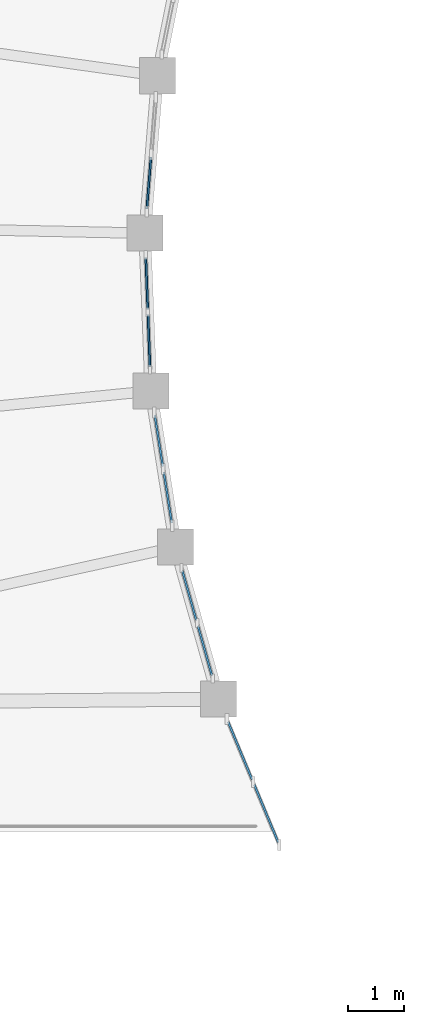
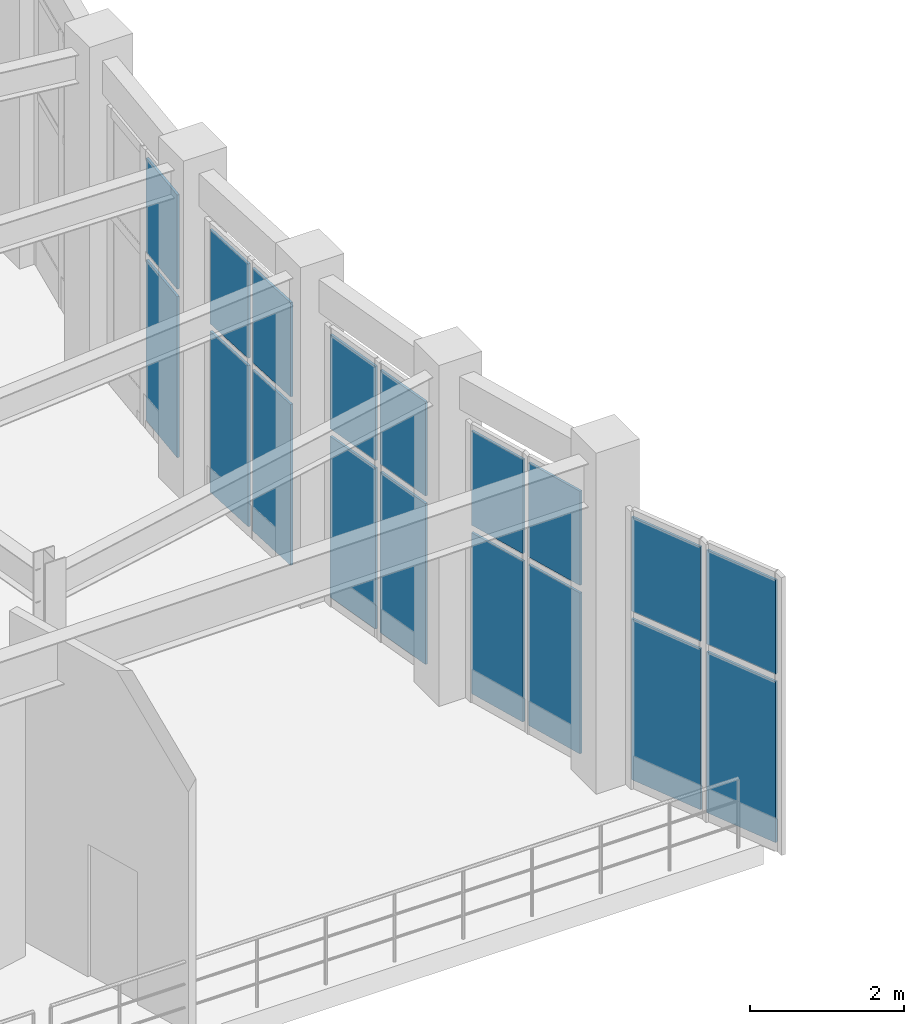
# One storey, part 41 of 93: 18 plates, 5 elements without a shape of their own.
"""IFC4 building model written with IfcOpenShell, lengths in metres."""

from ifc_helpers import new_model, si_unit, direction, frame, origin, origin_2d, place, context, subcontext, project, spatial, rectangle, extrude, material, layer, layer_set, type_object, element, aggregate, save


model = new_model("IFC4")

# Units and contexts
model_context = context("Model", 3, precision=1e-05, world=origin(), true_north=direction((0.0, 1.0)))
body_context = subcontext(model_context, "Body", "Model", "MODEL_VIEW")
ifc_project = project(units=[si_unit("LENGTHUNIT", "METRE"), si_unit("AREAUNIT", "SQUARE_METRE"), si_unit("VOLUMEUNIT", "CUBIC_METRE"), si_unit("PLANEANGLEUNIT", "RADIAN"), si_unit("MASSUNIT", "GRAM", prefix="KILO")], contexts=[model_context])

# Site, building, storey
site_placement = place(None, origin())
site = spatial("IfcSite", under=ifc_project, at=site_placement, CompositionType="ELEMENT")
building_placement = place(site_placement, origin())
building = spatial("IfcBuilding", under=site, at=building_placement, Name="Cinderbank Siding Concert Hall", CompositionType="ELEMENT")
storey_placement = place(building_placement, origin())
storey = spatial("IfcBuildingStorey", under=building, at=storey_placement, Name="L01", CompositionType="ELEMENT", Elevation=0.0)

# Curtain wall, plates
ifc_material_1 = material(Name="Anodised aluminium alloy 6063-T6", Category="aluminium")
curtain_wall_type_1 = type_object("IfcCurtainWallType", Name="CW-14 Unitised Acoustic Curtain Wall 4200x3800", PredefinedType="NOTDEFINED", material=ifc_material_1)
curtain_wall_1_placement = place(storey_placement, origin())
curtain_wall_1 = element("IfcCurtainWall", 1, at=curtain_wall_1_placement, inside=storey, type_object=curtain_wall_type_1, Name="L01 Curtain Wall CW-14 #104", PredefinedType="NOTDEFINED")
ifc_material_2 = material(Name="Double-glazed laminated acoustic glass", Category="glass")
ifc_layer_1 = layer(ifc_material_2, 0.035888671875)
ifc_layer_set_1 = layer_set([ifc_layer_1], Name="Double-glazed laminated acoustic glass")
plate_type_1 = type_object("IfcPlateType", Name="CP-01 Glazed Curtain Panel 1800x2200", PredefinedType="CURTAIN_PANEL", material=ifc_layer_set_1)
plate_1_placement = place(storey_placement, frame((32.0400390625, 67.5966796875, 0.1201171875), z_axis=(0.0, 0.0, 1.0), x_axis=(0.038360270672, -0.99926397395, 0.0)))
plate_1 = element("IfcPlate", 2, at=plate_1_placement, type_object=plate_type_1, Name="CW-L01-104 Glazed Panel 0-0", PredefinedType="CURTAIN_PANEL", context=body_context, shape_type="SweptSolid", body=[
    extrude(rectangle(XDim=0.933349609375, YDim=0.035888671875, at=origin_2d()), origin(), (0.0, 0.0, 1.0), 2.548095703125),
])
plate_2_placement = place(storey_placement, frame((32.0400390625, 67.5966796875, 2.7880859375), z_axis=(0.0, 0.0, 1.0), x_axis=(0.038360270672, -0.99926397395, 0.0)))
plate_2 = element("IfcPlate", 3, at=plate_2_placement, type_object=plate_type_1, Name="CW-L01-104 Glazed Panel 0-1", PredefinedType="CURTAIN_PANEL", context=body_context, shape_type="SweptSolid", body=[
    extrude(rectangle(XDim=0.933349609375, YDim=0.035888671875, at=origin_2d()), origin(), (0.0, 0.0, 1.0), 1.491943359375),
])
plate_3_placement = place(storey_placement, frame((32.07958984375, 66.56396484375, 0.1201171875), z_axis=(0.0, 0.0, 1.0), x_axis=(0.038360270672, -0.99926397395, 0.0)))
plate_3 = element("IfcPlate", 4, at=plate_3_placement, type_object=plate_type_1, Name="CW-L01-104 Glazed Panel 1-0", PredefinedType="CURTAIN_PANEL", context=body_context, shape_type="SweptSolid", body=[
    extrude(rectangle(XDim=0.933349609375, YDim=0.035888671875, at=origin_2d()), origin(), (0.0, 0.0, 1.0), 2.548095703125),
])
plate_4_placement = place(storey_placement, frame((32.07958984375, 66.56396484375, 2.7880859375), z_axis=(0.0, 0.0, 1.0), x_axis=(0.038360270672, -0.99926397395, 0.0)))
plate_4 = element("IfcPlate", 5, at=plate_4_placement, type_object=plate_type_1, Name="CW-L01-104 Glazed Panel 1-1", PredefinedType="CURTAIN_PANEL", context=body_context, shape_type="SweptSolid", body=[
    extrude(rectangle(XDim=0.933349609375, YDim=0.035888671875, at=origin_2d()), origin(), (0.0, 0.0, 1.0), 1.491943359375),
])
aggregate(curtain_wall_1, [plate_1, plate_2, plate_3, plate_4])

curtain_wall_type_2 = type_object("IfcCurtainWallType", Name="CW-13 Unitised Acoustic Curtain Wall 4200x4400", PredefinedType="NOTDEFINED", material=ifc_material_1)
curtain_wall_2_placement = place(storey_placement, origin())
curtain_wall_2 = element("IfcCurtainWall", 6, at=curtain_wall_2_placement, inside=storey, type_object=curtain_wall_type_2, Name="L01 Curtain Wall CW-13 #105", PredefinedType="NOTDEFINED")
ifc_layer_2 = layer(ifc_material_2, 0.035888671875)
ifc_layer_set_2 = layer_set([ifc_layer_2], Name="Double-glazed laminated acoustic glass")
plate_type_2 = type_object("IfcPlateType", Name="CP-02 Glazed Curtain Panel 1800x1900", PredefinedType="CURTAIN_PANEL", material=ifc_layer_set_2)
plate_5_placement = place(storey_placement, frame((32.25634765625, 64.762451171875, 0.1201171875), z_axis=(0.0, 0.0, 1.0), x_axis=(0.156464041899, -0.987683655627, 0.0)))
plate_5 = element("IfcPlate", 7, at=plate_5_placement, type_object=plate_type_2, Name="CW-L01-105 Glazed Panel 0-0", PredefinedType="CURTAIN_PANEL", context=body_context, shape_type="SweptSolid", body=[
    extrude(rectangle(XDim=0.933349609375, YDim=0.035888671875, at=origin_2d()), origin(), (0.0, 0.0, 1.0), 2.548095703125),
])
plate_6_placement = place(storey_placement, frame((32.25634765625, 64.762451171875, 2.7880859375), z_axis=(0.0, 0.0, 1.0), x_axis=(0.156464041899, -0.987683655627, 0.0)))
plate_6 = element("IfcPlate", 8, at=plate_6_placement, type_object=plate_type_2, Name="CW-L01-105 Glazed Panel 0-1", PredefinedType="CURTAIN_PANEL", context=body_context, shape_type="SweptSolid", body=[
    extrude(rectangle(XDim=0.933349609375, YDim=0.035888671875, at=origin_2d()), origin(), (0.0, 0.0, 1.0), 1.491943359375),
])
plate_7_placement = place(storey_placement, frame((32.41796875, 63.741943359375, 0.1201171875), z_axis=(0.0, 0.0, 1.0), x_axis=(0.156464041899, -0.987683655627, 0.0)))
plate_7 = element("IfcPlate", 9, at=plate_7_placement, type_object=plate_type_2, Name="CW-L01-105 Glazed Panel 1-0", PredefinedType="CURTAIN_PANEL", context=body_context, shape_type="SweptSolid", body=[
    extrude(rectangle(XDim=0.933349609375, YDim=0.035888671875, at=origin_2d()), origin(), (0.0, 0.0, 1.0), 2.548095703125),
])
plate_8_placement = place(storey_placement, frame((32.41796875, 63.741943359375, 2.7880859375), z_axis=(0.0, 0.0, 1.0), x_axis=(0.156464041899, -0.987683655627, 0.0)))
plate_8 = element("IfcPlate", 10, at=plate_8_placement, type_object=plate_type_2, Name="CW-L01-105 Glazed Panel 1-1", PredefinedType="CURTAIN_PANEL", context=body_context, shape_type="SweptSolid", body=[
    extrude(rectangle(XDim=0.933349609375, YDim=0.035888671875, at=origin_2d()), origin(), (0.0, 0.0, 1.0), 1.491943359375),
])
aggregate(curtain_wall_2, [plate_5, plate_6, plate_7, plate_8])

curtain_wall_3_placement = place(storey_placement, origin())
curtain_wall_3 = element("IfcCurtainWall", 11, at=curtain_wall_3_placement, inside=storey, type_object=curtain_wall_type_1, Name="L01 Curtain Wall CW-14 #106", PredefinedType="NOTDEFINED")
ifc_layer_3 = layer(ifc_material_2, 0.035888671875)
ifc_layer_set_3 = layer_set([ifc_layer_3], Name="Double-glazed laminated acoustic glass")
plate_type_3 = type_object("IfcPlateType", Name="CP-03 Glazed Curtain Panel 1600x2100", PredefinedType="CURTAIN_PANEL", material=ifc_layer_set_3)
plate_9_placement = place(storey_placement, frame((32.806884765625, 61.97412109375, 0.1201171875), z_axis=(0.0, 0.0, 1.0), x_axis=(0.272275215509, -0.962219417295, 0.0)))
plate_9 = element("IfcPlate", 12, at=plate_9_placement, type_object=plate_type_3, Name="CW-L01-106 Glazed Panel 0-0", PredefinedType="CURTAIN_PANEL", context=body_context, shape_type="SweptSolid", body=[
    extrude(rectangle(XDim=0.933349609375, YDim=0.035888671875, at=origin_2d()), origin(), (0.0, 0.0, 1.0), 2.548095703125),
])
plate_10_placement = place(storey_placement, frame((32.806884765625, 61.97412109375, 2.7880859375), z_axis=(0.0, 0.0, 1.0), x_axis=(0.272275215509, -0.962219417295, 0.0)))
plate_10 = element("IfcPlate", 13, at=plate_10_placement, type_object=plate_type_3, Name="CW-L01-106 Glazed Panel 0-1", PredefinedType="CURTAIN_PANEL", context=body_context, shape_type="SweptSolid", body=[
    extrude(rectangle(XDim=0.933349609375, YDim=0.035888671875, at=origin_2d()), origin(), (0.0, 0.0, 1.0), 1.491943359375),
])
plate_11_placement = place(storey_placement, frame((33.088134765625, 60.9794921875, 0.1201171875), z_axis=(0.0, 0.0, 1.0), x_axis=(0.272275215509, -0.962219417295, 0.0)))
plate_11 = element("IfcPlate", 14, at=plate_11_placement, type_object=plate_type_3, Name="CW-L01-106 Glazed Panel 1-0", PredefinedType="CURTAIN_PANEL", context=body_context, shape_type="SweptSolid", body=[
    extrude(rectangle(XDim=0.933349609375, YDim=0.035888671875, at=origin_2d()), origin(), (0.0, 0.0, 1.0), 2.548095703125),
])
plate_12_placement = place(storey_placement, frame((33.088134765625, 60.9794921875, 2.7880859375), z_axis=(0.0, 0.0, 1.0), x_axis=(0.272275215509, -0.962219417295, 0.0)))
plate_12 = element("IfcPlate", 15, at=plate_12_placement, type_object=plate_type_3, Name="CW-L01-106 Glazed Panel 1-1", PredefinedType="CURTAIN_PANEL", context=body_context, shape_type="SweptSolid", body=[
    extrude(rectangle(XDim=0.933349609375, YDim=0.035888671875, at=origin_2d()), origin(), (0.0, 0.0, 1.0), 1.491943359375),
])
aggregate(curtain_wall_3, [plate_9, plate_10, plate_11, plate_12])

curtain_wall_4_placement = place(storey_placement, origin())
curtain_wall_4 = element("IfcCurtainWall", 16, at=curtain_wall_4_placement, inside=storey, type_object=curtain_wall_type_2, Name="L01 Curtain Wall CW-13 #107", PredefinedType="NOTDEFINED")
ifc_layer_4 = layer(ifc_material_2, 0.031982421875)
ifc_layer_set_4 = layer_set([ifc_layer_4], Name="Double-glazed laminated acoustic glass")
plate_type_4 = type_object("IfcPlateType", Name="CP-04 Glazed Curtain Panel 1400x2000", PredefinedType="CURTAIN_PANEL", material=ifc_layer_set_4)
plate_13_placement = place(storey_placement, frame((33.720947265625, 59.18017578125, 0.1201171875), z_axis=(0.0, 0.0, 1.0), x_axis=(0.384273632219, -0.923219245673, 0.0)))
plate_13 = element("IfcPlate", 17, at=plate_13_placement, type_object=plate_type_4, Name="CW-L01-107 Glazed Panel 0-0", PredefinedType="CURTAIN_PANEL", context=body_context, shape_type="SweptSolid", body=[
    extrude(rectangle(XDim=1.12841796875, YDim=0.035888671875, at=origin_2d()), origin(), (0.0, 0.0, 1.0), 2.548095703125),
])
plate_14_placement = place(storey_placement, frame((33.720947265625, 59.18017578125, 2.7880859375), z_axis=(0.0, 0.0, 1.0), x_axis=(0.384273632219, -0.923219245673, 0.0)))
plate_14 = element("IfcPlate", 18, at=plate_14_placement, type_object=plate_type_4, Name="CW-L01-107 Glazed Panel 0-1", PredefinedType="CURTAIN_PANEL", context=body_context, shape_type="SweptSolid", body=[
    extrude(rectangle(XDim=1.12841796875, YDim=0.035888671875, at=origin_2d()), origin(), (0.0, 0.0, 1.0), 1.491943359375),
])
plate_15_placement = place(storey_placement, frame((34.19287109375, 58.046142578125, 0.1201171875), z_axis=(0.0, 0.0, 1.0), x_axis=(0.384273632219, -0.923219245673, 0.0)))
plate_15 = element("IfcPlate", 19, at=plate_15_placement, type_object=plate_type_4, Name="CW-L01-107 Glazed Panel 1-0", PredefinedType="CURTAIN_PANEL", context=body_context, shape_type="SweptSolid", body=[
    extrude(rectangle(XDim=1.12841796875, YDim=0.035888671875, at=origin_2d()), origin(), (0.0, 0.0, 1.0), 2.548095703125),
])
plate_16_placement = place(storey_placement, frame((34.19287109375, 58.046142578125, 2.7880859375), z_axis=(0.0, 0.0, 1.0), x_axis=(0.384273632219, -0.923219245673, 0.0)))
plate_16 = element("IfcPlate", 20, at=plate_16_placement, type_object=plate_type_4, Name="CW-L01-107 Glazed Panel 1-1", PredefinedType="CURTAIN_PANEL", context=body_context, shape_type="SweptSolid", body=[
    extrude(rectangle(XDim=1.12841796875, YDim=0.035888671875, at=origin_2d()), origin(), (0.0, 0.0, 1.0), 1.491943359375),
])
aggregate(curtain_wall_4, [plate_13, plate_14, plate_15, plate_16])

curtain_wall_5_placement = place(storey_placement, origin())
curtain_wall_5 = element("IfcCurtainWall", 21, at=curtain_wall_5_placement, inside=storey, type_object=curtain_wall_type_2, Name="L01 Curtain Wall CW-13 #103", PredefinedType="NOTDEFINED")
ifc_layer_5 = layer(ifc_material_2, 0.033935546875)
ifc_layer_set_5 = layer_set([ifc_layer_5], Name="Double-glazed laminated acoustic glass")
plate_type_5 = type_object("IfcPlateType", Name="CP-08 Glazed Curtain Panel 1700x1550", PredefinedType="CURTAIN_PANEL", material=ifc_layer_set_5)
plate_17_placement = place(storey_placement, frame((32.077880859375, 69.406494140625, 0.1201171875), z_axis=(0.0, 0.0, 1.0), x_axis=(-0.0801961758, -0.996779099594, 0.0)))
plate_17 = element("IfcPlate", 22, at=plate_17_placement, type_object=plate_type_5, Name="CW-L01-103 Glazed Panel 1-0", PredefinedType="CURTAIN_PANEL", context=body_context, shape_type="SweptSolid", body=[
    extrude(rectangle(XDim=0.933349609375, YDim=0.035888671875, at=origin_2d()), origin(), (0.0, 0.0, 1.0), 2.548095703125),
])
plate_18_placement = place(storey_placement, frame((32.077880859375, 69.406494140625, 2.7880859375), z_axis=(0.0, 0.0, 1.0), x_axis=(-0.0801961758, -0.996779099594, 0.0)))
plate_18 = element("IfcPlate", 23, at=plate_18_placement, type_object=plate_type_5, Name="CW-L01-103 Glazed Panel 1-1", PredefinedType="CURTAIN_PANEL", context=body_context, shape_type="SweptSolid", body=[
    extrude(rectangle(XDim=0.933349609375, YDim=0.035888671875, at=origin_2d()), origin(), (0.0, 0.0, 1.0), 1.491943359375),
])
aggregate(curtain_wall_5, [plate_17, plate_18])

save(model, "model.ifc")
